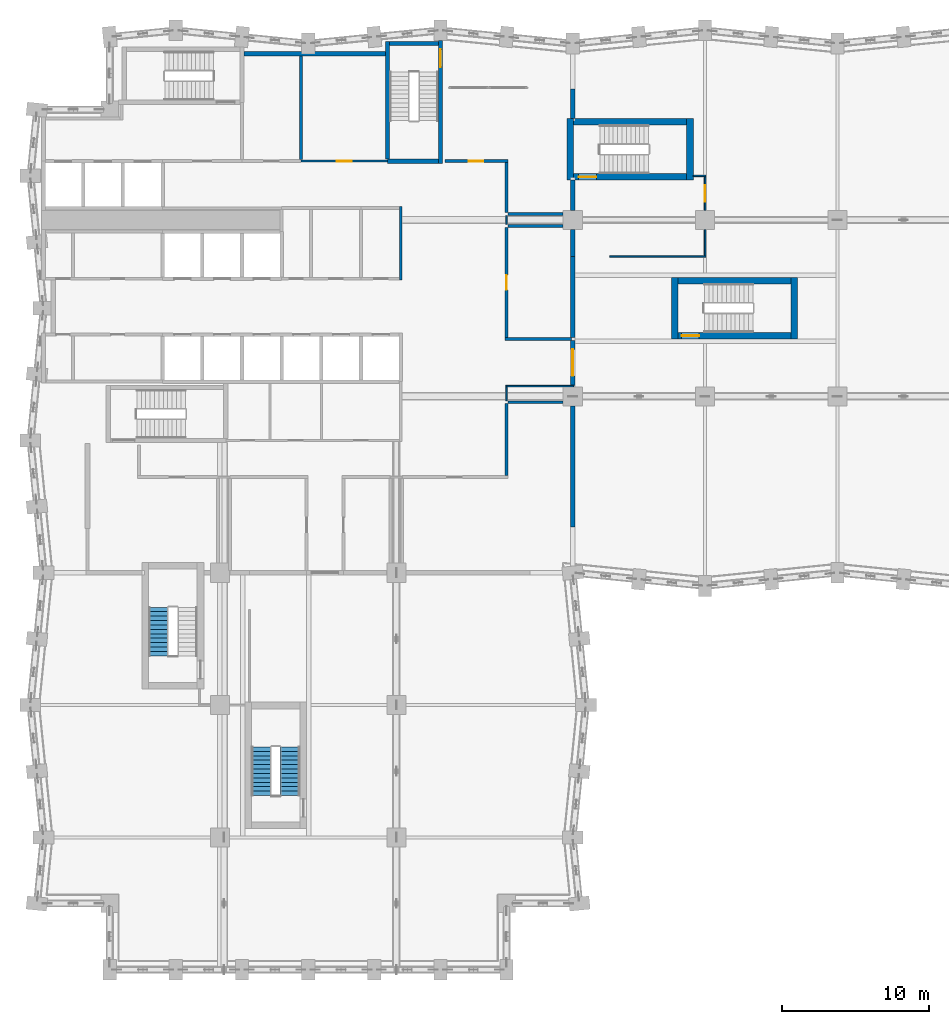
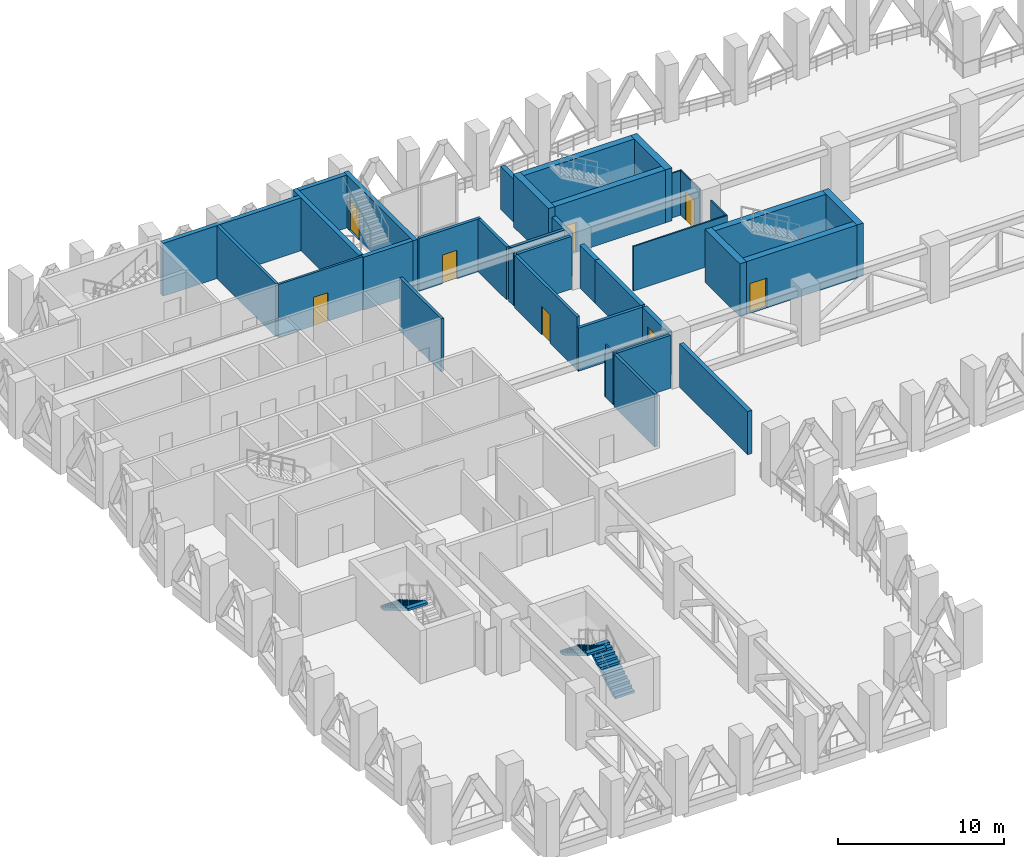
# One storey, part 16 of 25: 37 walls, 8 doors, 3 stair flights, 8 openings, 2 elements without a shape of their own.
"""IFC4 building model written with IfcOpenShell, lengths in metres."""

import ifcopenshell
import ifcopenshell.guid

model = None  # the IFC model being written
_history = None  # IfcOwnerHistory: only IFC2X3 demands one
_inside = {}  # id of a spatial element -> (the spatial element, [elements in it])
_under = {}  # id of a project, library or spatial element -> (it, [spatial elements below it])
_declared = {}  # id of a project -> (the project, [libraries it declares])
_typed = {}  # id of a type object -> (the type object, [elements of that type])
_made_of = {}  # id of a material, layer set ... -> (it, [elements and type objects made of it])


def new_model(schema):
    """Start an empty IFC model of exactly this schema.

    Asked for "IFC4X3", IfcOpenShell would pick the latest addendum, in which some entities
    have other attributes; the version numbers below select the first issue.
    IFC2X3 requires an IfcOwnerHistory on every rooted entity: one is made here for all.
    """
    global model, _history
    if schema == "IFC4X3":
        model = ifcopenshell.file(schema_version=(4, 3, 0, 0))
    else:
        model = ifcopenshell.file(schema=schema)
    _inside.clear()
    _under.clear()
    _declared.clear()
    _typed.clear()
    _made_of.clear()
    _history = None
    if model.schema == "IFC2X3":
        org = make("IfcOrganization", Name="unknown")
        user = make(
            "IfcPersonAndOrganization",
            ThePerson=make("IfcPerson", FamilyName="unknown"),
            TheOrganization=org,
        )
        app = make(
            "IfcApplication",
            ApplicationDeveloper=org,
            Version="unknown",
            ApplicationFullName="unknown",
            ApplicationIdentifier="unknown",
        )
        _history = make(
            "IfcOwnerHistory",
            OwningUser=user,
            OwningApplication=app,
            ChangeAction="ADDED",
            CreationDate=0,
        )
    return model


def make(cls, **values):
    """One entity of the class cls with the attributes given. An attribute that is None is left unset."""
    return model.create_entity(
        cls, **{name: value for name, value in values.items() if value is not None}
    )


def rooted(cls, **values):
    """An entity with a GlobalId (a new one), such as an element, a storey or a relation."""
    return make(cls, GlobalId=ifcopenshell.guid.new(), OwnerHistory=_history, **values)


def si_unit(unit_type, name, prefix=None):
    """IfcSIUnit, for example si_unit("LENGTHUNIT", "METRE", prefix="MILLI")."""
    return make("IfcSIUnit", UnitType=unit_type, Prefix=prefix, Name=name)


def assignment(units):
    """IfcUnitAssignment: the units of a project."""
    return None if units is None else make("IfcUnitAssignment", Units=units)


def point(xyz):
    """IfcCartesianPoint."""
    return None if xyz is None else make("IfcCartesianPoint", Coordinates=xyz)


def direction(xyz):
    """IfcDirection."""
    return None if xyz is None else make("IfcDirection", DirectionRatios=xyz)


def frame(location, z_axis=None, x_axis=None):
    """IfcAxis2Placement3D, a coordinate frame: its origin and axes. An axis left out is left unset."""
    return make(
        "IfcAxis2Placement3D",
        Location=point(location),
        Axis=direction(z_axis),
        RefDirection=direction(x_axis),
    )


def frame_2d(location, x_axis=None):
    """IfcAxis2Placement2D, a coordinate frame in the plane: its origin and x axis."""
    return make(
        "IfcAxis2Placement2D", Location=point(location), RefDirection=direction(x_axis)
    )


def origin():
    """The frame at (0, 0, 0) with its axes left unset."""
    return frame((0.0, 0.0, 0.0))


def place(relative_to, where):
    """IfcLocalPlacement: puts the frame where relative to a parent placement (None: the world)."""
    return make(
        "IfcLocalPlacement", PlacementRelTo=relative_to, RelativePlacement=where
    )


def context(
    kind, dimensions, precision=None, world=None, true_north=None, identifier=None
):
    """IfcGeometricRepresentationContext, for example the 3D "Model" context."""
    return make(
        "IfcGeometricRepresentationContext",
        ContextIdentifier=identifier,
        ContextType=kind,
        CoordinateSpaceDimension=dimensions,
        Precision=precision,
        WorldCoordinateSystem=world,
        TrueNorth=true_north,
    )


def subcontext(parent, identifier, kind, view, scale=None):
    """IfcGeometricRepresentationSubContext, for example "Body" below "Model"."""
    return make(
        "IfcGeometricRepresentationSubContext",
        ContextIdentifier=identifier,
        ContextType=kind,
        ParentContext=parent,
        TargetScale=scale,
        TargetView=view,
    )


def project(units=None, contexts=None):
    """IfcProject with its units and contexts."""
    return rooted(
        "IfcProject",
        Name="project",
        RepresentationContexts=contexts,
        UnitsInContext=assignment(units),
    )


def spatial(cls, under=None, at=None, **own):
    """A site, building, storey or space (cls), placed at a placement, below another one or the project."""
    s = rooted(cls, ObjectPlacement=at, **own)
    if under is not None:
        _under.setdefault(under.id(), (under, []))[1].append(s)
    return s


def polyline(points):
    """IfcPolyline through the points."""
    return make("IfcPolyline", Points=[point(p) for p in points])


def profile(cls, at=None, kind="AREA", **sizes):
    """A parametric profile (cls). Its sizes go by their IFC names, for example OverallWidth=200.0."""
    return make(cls, ProfileType=kind, Position=at, **sizes)


def rectangle(**sizes):
    """IfcRectangleProfileDef."""
    return profile("IfcRectangleProfileDef", **sizes)


def outline(outer, holes=None, kind="AREA"):
    """IfcArbitraryClosedProfileDef: a profile drawn as a closed curve; with holes, ...WithVoids."""
    if holes is None:
        return make("IfcArbitraryClosedProfileDef", ProfileType=kind, OuterCurve=outer)
    return make(
        "IfcArbitraryProfileDefWithVoids",
        ProfileType=kind,
        OuterCurve=outer,
        InnerCurves=holes,
    )


def extrude(swept, where, along, depth):
    """IfcExtrudedAreaSolid: the profile swept, set in the frame where, extruded along a direction by depth."""
    return make(
        "IfcExtrudedAreaSolid",
        SweptArea=swept,
        Position=where,
        ExtrudedDirection=direction(along),
        Depth=depth,
    )


def shape(context_of_items, identifier, shape_type, items):
    """IfcShapeRepresentation: the items that make up one representation, for example the "Body"."""
    return make(
        "IfcShapeRepresentation",
        ContextOfItems=context_of_items,
        RepresentationIdentifier=identifier,
        RepresentationType=shape_type,
        Items=items,
    )


def material(Name=None, Category=None):
    """IfcMaterial."""
    return make("IfcMaterial", Name=Name, Category=Category)


def layer(
    of_material, thickness, ventilated=None, Name=None, Category=None, Priority=None
):
    """IfcMaterialLayer: one layer of a wall or slab, of a material (None: an air gap)."""
    return make(
        "IfcMaterialLayer",
        Material=of_material,
        LayerThickness=thickness,
        IsVentilated=ventilated,
        Name=Name,
        Category=Category,
        Priority=Priority,
    )


def layer_set(layers, Name=None):
    """IfcMaterialLayerSet."""
    return make("IfcMaterialLayerSet", MaterialLayers=layers, LayerSetName=Name)


def made_of(thing, what):
    """Note that an element or type object is made of a material, layer set ...; save() writes the relation."""
    if what is not None:
        _made_of.setdefault(what.id(), (what, []))[1].append(thing)
    return thing


def type_object(cls, material=None, **own):
    """A type object (cls), such as IfcWallType, which elements share."""
    return made_of(rooted(cls, **own), material)


def element(
    cls,
    number,
    at=None,
    inside=None,
    cuts=None,
    type_object=None,
    material=None,
    context=None,
    identifier="Body",
    shape_type=None,
    held_by="IfcProductDefinitionShape",
    body=None,
    shapes=None,
    **own,
):
    """One element of the class cls, such as IfcWall. Its Tag is "e" and its number.

    at: its placement. inside: the storey or other place that contains it. cuts: it is an
    opening in that element (IfcRelVoidsElement). A single representation is given by context,
    identifier, shape_type and body (its items); several are given by shapes. held_by: the class
    of the entity that holds the representations. save() writes the other relations.
    """
    e = rooted(cls, Tag="e%d" % number, ObjectPlacement=at, **own)
    if body is not None:
        shapes = [shape(context, identifier, shape_type, body)]
    if shapes is not None:
        e.Representation = make(held_by, Representations=shapes)
    if inside is not None:
        _inside.setdefault(inside.id(), (inside, []))[1].append(e)
    if cuts is not None:
        rooted(
            "IfcRelVoidsElement", RelatingBuildingElement=cuts, RelatedOpeningElement=e
        )
    if type_object is not None:
        _typed.setdefault(type_object.id(), (type_object, []))[1].append(e)
    return made_of(e, material)


def fill(opening, filler):
    """IfcRelFillsElement: the door or window that sits in an opening."""
    return rooted(
        "IfcRelFillsElement",
        RelatingOpeningElement=opening,
        RelatedBuildingElement=filler,
    )


def aggregate(whole, parts):
    """IfcRelAggregates: a whole, such as a stair, and the parts it consists of."""
    return rooted("IfcRelAggregates", RelatingObject=whole, RelatedObjects=parts)


def save(model, path):
    """Write the relations noted so far, then the file.

    IfcRelAggregates (storeys below a building ...), IfcRelContainedInSpatialStructure (elements
    in a storey), IfcRelDefinesByType, IfcRelAssociatesMaterial and IfcRelDeclares: one each for
    every whole, place, type object, material and project.
    """
    for whole, parts in _under.values():
        aggregate(whole, parts)
    for where, things in _inside.values():
        rooted(
            "IfcRelContainedInSpatialStructure",
            RelatedElements=things,
            RelatingStructure=where,
        )
    for kind, things in _typed.values():
        rooted("IfcRelDefinesByType", RelatedObjects=things, RelatingType=kind)
    for what, things in _made_of.values():
        rooted("IfcRelAssociatesMaterial", RelatedObjects=things, RelatingMaterial=what)
    for by, libraries in _declared.values():
        rooted("IfcRelDeclares", RelatingContext=by, RelatedDefinitions=libraries)
    model.write(path)


model = new_model("IFC4")

# Units and contexts
model_context = context("Model", 3, precision=1e-05, world=origin(), true_north=direction((0.0, 1.0)))
body_context = subcontext(model_context, "Body", "Model", "MODEL_VIEW")
ifc_project = project(units=[si_unit("LENGTHUNIT", "METRE"), si_unit("AREAUNIT", "SQUARE_METRE"), si_unit("VOLUMEUNIT", "CUBIC_METRE"), si_unit("PLANEANGLEUNIT", "RADIAN"), si_unit("MASSUNIT", "GRAM", prefix="KILO")], contexts=[model_context])

# Site, building, storey
site_placement = place(None, origin())
site = spatial("IfcSite", under=ifc_project, at=site_placement, CompositionType="ELEMENT")
building_placement = place(site_placement, origin())
building = spatial("IfcBuilding", under=site, at=building_placement, Name="Brondeck Convention Tower", CompositionType="ELEMENT")
storey_placement = place(building_placement, frame((0.0, 0.0, 84.300048828125)))
storey = spatial("IfcBuildingStorey", under=building, at=storey_placement, Name="L19", CompositionType="ELEMENT", Elevation=84.300048828125)

# Wall
ifc_material_1 = material(Name="Concrete compartment wall C30/37", Category="concrete")
ifc_layer_1 = layer(ifc_material_1, 0.300048828125)
ifc_layer_set_1 = layer_set([ifc_layer_1], Name="Compartment wall 300")
wall_type_1 = type_object("IfcWallType", Name="Compartment wall 300", PredefinedType="PARTITIONING", material=ifc_layer_set_1)
wall_1_placement = place(storey_placement, frame((36.0, 38.344970703125, 0.0), z_axis=(0.0, 0.0, 1.0), x_axis=(0.0, -1.0, 0.0)))
element("IfcWall", 1, at=wall_1_placement, inside=storey, type_object=wall_type_1, Name="FLR-L19-W028", PredefinedType="PARTITIONING", context=body_context, shape_type="SweptSolid", body=[
    extrude(rectangle(XDim=8.244873046875, YDim=0.300048828125, at=frame_2d((4.12255859375, 0.0))), origin(), (0.0, 0.0, 1.0), 3.179931640625),
])

# Wall, opening, door
wall_2_placement = place(storey_placement, frame((36.0, 42.800048828125, 0.0), z_axis=(0.0, 0.0, 1.0), x_axis=(0.0, -1.0, 0.0)))
wall_2 = element("IfcWall", 2, at=wall_2_placement, inside=storey, type_object=wall_type_1, Name="FLR-L19-W033", PredefinedType="PARTITIONING", context=body_context, shape_type="SweptSolid", body=[
    extrude(rectangle(XDim=3.050048828125, YDim=0.300048828125, at=frame_2d((1.52490234375, 0.0))), origin(), (0.0, 0.0, 1.0), 3.179931640625),
])
opening_1_placement = place(wall_2_placement, frame((0.60009765625, 0.0, 0.0)))
opening_1 = element("IfcOpeningElement", 3, at=opening_1_placement, cuts=wall_2, Name="Opening BD-1-008", PredefinedType="OPENING", context=body_context, shape_type="SweptSolid", body=[
    extrude(rectangle(XDim=1.800048828125, YDim=2.10009765625, at=frame_2d((0.89990234375, 1.050048828125))), frame((0.0, 0.159912109375, 0.0), z_axis=(0.0, -1.0, 0.0), x_axis=(1.0, 0.0, 0.0)), (0.0, 0.0, 1.0), 0.320068359375),
])
ifc_material_2 = material(Name="Steel fire door pair", Category="steel")
door_type_1 = type_object("IfcDoorType", Name="Fire door pair 1800", OperationType="DOUBLE_DOOR_SINGLE_SWING", PredefinedType="DOOR", material=ifc_material_2)
door_1_placement = place(opening_1_placement, origin())
door_1 = element("IfcDoor", 4, at=door_1_placement, inside=storey, type_object=door_type_1, Name="Door BD-1-008", OperationType="DOUBLE_DOOR_SINGLE_SWING", OverallHeight=2.10009765625, OverallWidth=1.800048828125, PredefinedType="DOOR", context=body_context, shape_type="SweptSolid", body=[
    extrude(rectangle(XDim=1.800048828125, YDim=2.10009765625, at=frame_2d((0.89990234375, 1.050048828125))), frame((0.0, 0.02490234375, 0.0), z_axis=(0.0, -1.0, 0.0), x_axis=(1.0, 0.0, 0.0)), (0.0, 0.0, 1.0), 0.050048828125),
])
fill(opening_1, door_1)

# Walls
wall_3_placement = place(storey_placement, frame((36.0, 48.5, 0.0), z_axis=(0.0, 0.0, 1.0), x_axis=(0.0, -1.0, 0.0)))
element("IfcWall", 5, at=wall_3_placement, inside=storey, type_object=wall_type_1, Name="FLR-L19-W035", PredefinedType="PARTITIONING", context=body_context, shape_type="SweptSolid", body=[
    extrude(rectangle(XDim=5.5, YDim=0.300048828125, at=frame_2d((2.75, 0.0))), origin(), (0.0, 0.0, 1.0), 3.179931640625),
])
wall_4_placement = place(storey_placement, frame((36.0, 48.5, 0.0), z_axis=(0.0, 0.0, 1.0), x_axis=(0.0, 1.0, 0.0)))
element("IfcWall", 6, at=wall_4_placement, inside=storey, type_object=wall_type_1, Name="FLR-L19-W036", PredefinedType="PARTITIONING", context=body_context, shape_type="SweptSolid", body=[
    extrude(rectangle(XDim=1.844970703125, YDim=0.300048828125, at=frame_2d((0.92236328125, 0.0))), origin(), (0.0, 0.0, 1.0), 3.179931640625),
])
wall_5_placement = place(storey_placement, frame((36.0, 51.655029296875, 0.0), z_axis=(0.0, 0.0, 1.0), x_axis=(0.0, 1.0, 0.0)))
element("IfcWall", 7, at=wall_5_placement, inside=storey, type_object=wall_type_1, Name="FLR-L19-W043", PredefinedType="PARTITIONING", context=body_context, shape_type="SweptSolid", body=[
    extrude(rectangle(XDim=2.044921875, YDim=0.300048828125, at=frame_2d((1.0224609375, 0.0))), origin(), (0.0, 0.0, 1.0), 3.179931640625),
])
wall_6_placement = place(storey_placement, frame((36.0, 59.89990234375, 0.0), z_axis=(0.0, 0.0, 1.0), x_axis=(0.0, -1.0, 0.0)))
element("IfcWall", 8, at=wall_6_placement, inside=storey, type_object=wall_type_1, Name="FLR-L19-W048", PredefinedType="PARTITIONING", context=body_context, shape_type="SweptSolid", body=[
    extrude(rectangle(XDim=2.0, YDim=0.300048828125, at=frame_2d((1.0, 0.0))), origin(), (0.0, 0.0, 1.0), 3.179931640625),
])
ifc_material_3 = material(Name="Concrete C80/95", Category="concrete")
ifc_layer_2 = layer(ifc_material_3, 0.199951171875)
ifc_layer_set_2 = layer_set([ifc_layer_2], Name="Core beam-seat wall 200 Concrete C80/95")
wall_type_2 = type_object("IfcWallType", Name="Core beam-seat wall 200 Concrete C80/95", PredefinedType="SHEAR", material=ifc_layer_set_2)
wall_7_placement = place(storey_placement, frame((24.300048828125, 46.89990234375, 0.0), z_axis=(0.0, 0.0, 1.0), x_axis=(0.0, 1.0, 0.0)))
element("IfcWall", 9, at=wall_7_placement, inside=storey, type_object=wall_type_2, Name="L19 core wall", PredefinedType="SHEAR", context=body_context, shape_type="SweptSolid", body=[
    extrude(rectangle(XDim=5.0, YDim=0.199951171875, at=frame_2d((2.5, 0.0))), origin(), (0.0, 0.0, 1.0), 3.89990234375),
])
ifc_layer_3 = layer(ifc_material_3, 0.300048828125)
ifc_layer_set_3 = layer_set([ifc_layer_3], Name="Core outer wall 300 Concrete C80/95")
wall_type_3 = type_object("IfcWallType", Name="Core outer wall 300 Concrete C80/95", PredefinedType="SHEAR", material=ifc_layer_set_3)
wall_8_placement = place(storey_placement, frame((13.64990234375, 62.300048828125, 0.0), z_axis=(0.0, 0.0, 1.0), x_axis=(1.0, 0.0, 0.0)))
element("IfcWall", 10, at=wall_8_placement, inside=storey, type_object=wall_type_3, Name="L19 core wall", PredefinedType="SHEAR", context=body_context, shape_type="SweptSolid", body=[
    extrude(rectangle(XDim=9.60009765625, YDim=0.300048828125, at=frame_2d((4.800048828125, 0.0))), origin(), (0.0, 0.0, 1.0), 3.89990234375),
])

# Wall, opening, door
ifc_material_4 = material(Name="Fire-rated gypsum board partition")
ifc_layer_4 = layer(ifc_material_4, 0.14990234375)
ifc_layer_set_4 = layer_set([ifc_layer_4], Name="Core partition 150 EI 60")
wall_type_4 = type_object("IfcWallType", Name="Core partition 150 EI 60", PredefinedType="PARTITIONING", material=ifc_layer_set_4)
wall_9_placement = place(storey_placement, frame((17.5, 55.0, 0.0), z_axis=(0.0, 0.0, 1.0), x_axis=(1.0, 0.0, 0.0)))
wall_9 = element("IfcWall", 11, at=wall_9_placement, inside=storey, type_object=wall_type_4, Name="L19 core wall", PredefinedType="PARTITIONING", context=body_context, shape_type="SweptSolid", body=[
    extrude(rectangle(XDim=5.89990234375, YDim=0.14990234375, at=frame_2d((2.949951171875, 0.0))), origin(), (0.0, 0.0, 1.0), 3.89990234375),
])
opening_2_placement = place(wall_9_placement, frame((2.449951171875, 0.0, 0.0)))
opening_2 = element("IfcOpeningElement", 12, at=opening_2_placement, cuts=wall_9, Name="Opening C13-13", PredefinedType="OPENING", context=body_context, shape_type="SweptSolid", body=[
    extrude(rectangle(XDim=1.0, YDim=2.10009765625, at=frame_2d((0.5, 1.050048828125))), frame((0.0, 0.0849609375, 0.0), z_axis=(0.0, -1.0, 0.0), x_axis=(1.0, 0.0, 0.0)), (0.0, 0.0, 1.0), 0.169921875),
])
ifc_material_5 = material(Name="Steel fire door", Category="steel")
door_type_2 = type_object("IfcDoorType", Name="Room door 1000x2100 EI 60", OperationType="NOTDEFINED", PredefinedType="DOOR", material=ifc_material_5)
door_2_placement = place(opening_2_placement, origin())
door_2 = element("IfcDoor", 13, at=door_2_placement, inside=storey, type_object=door_type_2, Name="L19 Room door NE-2", OperationType="SINGLE_SWING_RIGHT", OverallHeight=2.10009765625, OverallWidth=1.0, PredefinedType="DOOR", context=body_context, shape_type="SweptSolid", body=[
    extrude(rectangle(XDim=1.0, YDim=2.10009765625, at=frame_2d((0.5, 1.050048828125))), frame((0.0, 0.02490234375, 0.0), z_axis=(0.0, -1.0, 0.0), x_axis=(1.0, 0.0, 0.0)), (0.0, 0.0, 1.0), 0.050048828125),
])
fill(opening_2, door_2)

# Walls
ifc_material_6 = material(Name="Concrete block wall C16/20", Category="concrete")
ifc_layer_5 = layer(ifc_material_6, 0.199951171875)
ifc_layer_set_5 = layer_set([ifc_layer_5], Name="Plant room wall 200")
wall_type_5 = type_object("IfcWallType", Name="Plant room wall 200", PredefinedType="PARTITIONING", material=ifc_layer_set_5)
wall_10_placement = place(storey_placement, frame((31.5, 38.5, 0.0), z_axis=(0.0, 0.0, 1.0), x_axis=(0.0, -1.0, 0.0)))
element("IfcWall", 14, at=wall_10_placement, inside=storey, type_object=wall_type_5, Name="FLR-L19-W029", PredefinedType="PARTITIONING", context=body_context, shape_type="SweptSolid", body=[
    extrude(rectangle(XDim=4.89990234375, YDim=0.199951171875, at=frame_2d((2.449951171875, 0.0))), origin(), (0.0, 0.0, 1.0), 3.8798828125),
])
wall_11_placement = place(storey_placement, frame((31.60009765625, 38.60009765625, 0.0), z_axis=(0.0, 0.0, 1.0), x_axis=(1.0, 0.0, 0.0)))
element("IfcWall", 15, at=wall_11_placement, inside=storey, type_object=wall_type_5, Name="FLR-L19-W030", PredefinedType="PARTITIONING", context=body_context, shape_type="SweptSolid", body=[
    extrude(rectangle(XDim=3.744873046875, YDim=0.199951171875, at=frame_2d((1.87255859375, 0.0))), origin(), (0.0, 0.0, 1.0), 3.8798828125),
])
wall_12_placement = place(storey_placement, frame((31.39990234375, 42.89990234375, 0.0), z_axis=(0.0, 0.0, 1.0), x_axis=(1.0, 0.0, 0.0)))
element("IfcWall", 16, at=wall_12_placement, inside=storey, type_object=wall_type_5, Name="FLR-L19-W034", PredefinedType="PARTITIONING", context=body_context, shape_type="SweptSolid", body=[
    extrude(rectangle(XDim=4.5, YDim=0.199951171875, at=frame_2d((2.25, 0.0))), origin(), (0.0, 0.0, 1.0), 3.179931640625),
])

# Wall, opening, door
wall_13_placement = place(storey_placement, frame((31.5, 50.5, 0.0), z_axis=(0.0, 0.0, 1.0), x_axis=(0.0, -1.0, 0.0)))
wall_13 = element("IfcWall", 17, at=wall_13_placement, inside=storey, type_object=wall_type_5, Name="FLR-L19-W039", PredefinedType="PARTITIONING", context=body_context, shape_type="SweptSolid", body=[
    extrude(rectangle(XDim=7.5, YDim=0.199951171875, at=frame_2d((3.75, 0.0))), origin(), (0.0, 0.0, 1.0), 3.8798828125),
])
opening_3_placement = place(wall_13_placement, frame((3.25, 0.0, 0.0)))
opening_3 = element("IfcOpeningElement", 18, at=opening_3_placement, cuts=wall_13, Name="Opening BD-1-007", PredefinedType="OPENING", context=body_context, shape_type="SweptSolid", body=[
    extrude(rectangle(XDim=1.0, YDim=2.10009765625, at=frame_2d((0.5, 1.050048828125))), frame((0.0, 0.10986328125, 0.0), z_axis=(0.0, -1.0, 0.0), x_axis=(1.0, 0.0, 0.0)), (0.0, 0.0, 1.0), 0.219970703125),
])
ifc_material_7 = material(Name="Steel fire door leaf", Category="steel")
door_type_3 = type_object("IfcDoorType", Name="Plant room door 1000", OperationType="NOTDEFINED", PredefinedType="DOOR", material=ifc_material_7)
door_3_placement = place(opening_3_placement, origin())
door_3 = element("IfcDoor", 19, at=door_3_placement, inside=storey, type_object=door_type_3, Name="Door BD-1-007", OperationType="SINGLE_SWING_LEFT", OverallHeight=2.10009765625, OverallWidth=1.0, PredefinedType="DOOR", context=body_context, shape_type="SweptSolid", body=[
    extrude(rectangle(XDim=1.0, YDim=2.10009765625, at=frame_2d((0.5, 1.050048828125))), frame((0.0, 0.02490234375, 0.0), z_axis=(0.0, -1.0, 0.0), x_axis=(1.0, 0.0, 0.0)), (0.0, 0.0, 1.0), 0.050048828125),
])
fill(opening_3, door_3)

# Walls
for number, where, z_axis, x_axis, name in (
    (20, (31.60009765625, 50.60009765625, 0.0), (0.0, 0.0, 1.0), (1.0, 0.0, 0.0), "FLR-L19-W040"),
    (21, (35.344970703125, 51.39990234375, 0.0), (0.0, 0.0, 1.0), (-1.0, 0.0, 0.0), "FLR-L19-W042"),
):
    element("IfcWall", number, at=place(storey_placement, frame(where, z_axis=z_axis, x_axis=x_axis)), inside=storey, type_object=wall_type_5, Name=name, PredefinedType="PARTITIONING", context=body_context, shape_type="SweptSolid", body=[
        extrude(rectangle(XDim=3.744873046875, YDim=0.199951171875, at=frame_2d((1.87255859375, 0.0))), origin(), (0.0, 0.0, 1.0), 3.8798828125),
    ])
wall_14_placement = place(storey_placement, frame((31.5, 54.89990234375, 0.0), z_axis=(0.0, 0.0, 1.0), x_axis=(0.0, -1.0, 0.0)))
element("IfcWall", 22, at=wall_14_placement, inside=storey, type_object=wall_type_5, Name="FLR-L19-W046", PredefinedType="PARTITIONING", context=body_context, shape_type="SweptSolid", body=[
    extrude(rectangle(XDim=3.39990234375, YDim=0.199951171875, at=frame_2d((1.699951171875, 0.0))), origin(), (0.0, 0.0, 1.0), 3.8798828125),
])

# Wall, opening, door
wall_15_placement = place(storey_placement, frame((27.300048828125, 55.0, 0.0), z_axis=(0.0, 0.0, 1.0), x_axis=(1.0, 0.0, 0.0)))
wall_15 = element("IfcWall", 23, at=wall_15_placement, inside=storey, type_object=wall_type_5, Name="FLR-L19-W047", PredefinedType="PARTITIONING", context=body_context, shape_type="SweptSolid", body=[
    extrude(rectangle(XDim=4.300048828125, YDim=0.199951171875, at=frame_2d((2.14990234375, 0.0))), origin(), (0.0, 0.0, 1.0), 3.8798828125),
])
opening_4_placement = place(wall_15_placement, frame((1.625, 0.0, 0.0)))
opening_4 = element("IfcOpeningElement", 24, at=opening_4_placement, cuts=wall_15, Name="Opening BD-1-006", PredefinedType="OPENING", context=body_context, shape_type="SweptSolid", body=[
    extrude(rectangle(XDim=1.0, YDim=2.10009765625, at=frame_2d((0.5, 1.050048828125))), frame((0.0, 0.10986328125, 0.0), z_axis=(0.0, -1.0, 0.0), x_axis=(1.0, 0.0, 0.0)), (0.0, 0.0, 1.0), 0.219970703125),
])
door_4_placement = place(opening_4_placement, origin())
door_4 = element("IfcDoor", 25, at=door_4_placement, inside=storey, type_object=door_type_3, Name="Door BD-1-006", OperationType="SINGLE_SWING_LEFT", OverallHeight=2.10009765625, OverallWidth=1.0, PredefinedType="DOOR", context=body_context, shape_type="SweptSolid", body=[
    extrude(rectangle(XDim=1.0, YDim=2.10009765625, at=frame_2d((0.5, 1.050048828125))), frame((0.0, 0.02490234375, 0.0), z_axis=(0.0, -1.0, 0.0), x_axis=(1.0, 0.0, 0.0)), (0.0, 0.0, 1.0), 0.050048828125),
])
fill(opening_4, door_4)

# Walls
ifc_layer_6 = layer(ifc_material_4, 0.199951171875)
ifc_layer_set_6 = layer_set([ifc_layer_6], Name="Riser wall 200 EI 120")
wall_type_6 = type_object("IfcWallType", Name="Riser wall 200 EI 120", PredefinedType="PARTITIONING", material=ifc_layer_set_6)
wall_16_placement = place(storey_placement, frame((17.5, 55.10009765625, 0.0), z_axis=(0.0, 0.0, 1.0), x_axis=(0.0, 1.0, 0.0)))
element("IfcWall", 26, at=wall_16_placement, inside=storey, type_object=wall_type_6, Name="L19 core wall", PredefinedType="PARTITIONING", context=body_context, shape_type="SweptSolid", body=[
    extrude(rectangle(XDim=7.0498046875, YDim=0.199951171875, at=frame_2d((3.52490234375, 0.0))), origin(), (0.0, 0.0, 1.0), 3.89990234375),
])
ifc_material_8 = material(Name="Gypsum board partition on steel studs", Category="steel")
ifc_layer_7 = layer(ifc_material_8, 0.10009765625)
ifc_layer_set_7 = layer_set([ifc_layer_7], Name="Room partition 100")
wall_type_7 = type_object("IfcWallType", Name="Room partition 100", PredefinedType="PARTITIONING", material=ifc_layer_set_7)
wall_17_placement = place(storey_placement, frame((31.5, 39.64990234375, 0.0), z_axis=(0.0, 0.0, 1.0), x_axis=(0.0, -1.0, 0.0)))
element("IfcWall", 27, at=wall_17_placement, inside=storey, type_object=wall_type_7, Name="FLR-L19-W031", PredefinedType="PARTITIONING", context=body_context, shape_type="SweptSolid", body=[
    extrude(rectangle(XDim=0.949951171875, YDim=0.10009765625, at=frame_2d((0.47509765625, 0.0))), origin(), (0.0, 0.0, 1.0), 3.8798828125),
])
wall_18_placement = place(storey_placement, frame((36.050048828125, 39.699951171875, 0.0), z_axis=(0.0, 0.0, 1.0), x_axis=(-1.0, 0.0, 0.0)))
element("IfcWall", 28, at=wall_18_placement, inside=storey, type_object=wall_type_7, Name="FLR-L19-W032", PredefinedType="PARTITIONING", context=body_context, shape_type="SweptSolid", body=[
    extrude(rectangle(XDim=4.60009765625, YDim=0.10009765625, at=frame_2d((2.300048828125, 0.0))), origin(), (0.0, 0.0, 1.0), 3.179931640625),
])
wall_19_placement = place(storey_placement, frame((45.050048828125, 48.5, 0.0), z_axis=(0.0, 0.0, 1.0), x_axis=(-1.0, 0.0, 0.0)))
element("IfcWall", 29, at=wall_19_placement, inside=storey, type_object=wall_type_7, Name="FLR-L19-W037", PredefinedType="PARTITIONING", context=body_context, shape_type="SweptSolid", body=[
    extrude(rectangle(XDim=6.550048828125, YDim=0.10009765625, at=frame_2d((3.27490234375, 0.0))), origin(), (0.0, 0.0, 1.0), 3.280029296875),
])
wall_20_placement = place(storey_placement, frame((45.0, 50.344970703125, 0.0), z_axis=(0.0, 0.0, 1.0), x_axis=(0.0, -1.0, 0.0)))
element("IfcWall", 30, at=wall_20_placement, inside=storey, type_object=wall_type_7, Name="FLR-L19-W038", PredefinedType="PARTITIONING", context=body_context, shape_type="SweptSolid", body=[
    extrude(rectangle(XDim=1.794921875, YDim=0.10009765625, at=frame_2d((0.8974609375, 0.0))), origin(), (0.0, 0.0, 1.0), 3.280029296875),
])
wall_21_placement = place(storey_placement, frame((31.5, 51.300048828125, 0.0), z_axis=(0.0, 0.0, 1.0), x_axis=(0.0, -1.0, 0.0)))
element("IfcWall", 31, at=wall_21_placement, inside=storey, type_object=wall_type_7, Name="FLR-L19-W041", PredefinedType="PARTITIONING", context=body_context, shape_type="SweptSolid", body=[
    extrude(rectangle(XDim=0.60009765625, YDim=0.10009765625, at=frame_2d((0.300048828125, 0.0))), origin(), (0.0, 0.0, 1.0), 3.8798828125),
])

# Wall, opening, door
wall_22_placement = place(storey_placement, frame((45.0, 53.949951171875, 0.0), z_axis=(0.0, 0.0, 1.0), x_axis=(0.0, -1.0, 0.0)))
wall_22 = element("IfcWall", 32, at=wall_22_placement, inside=storey, type_object=wall_type_7, Name="FLR-L19-W044", PredefinedType="PARTITIONING", context=body_context, shape_type="SweptSolid", body=[
    extrude(rectangle(XDim=2.294921875, YDim=0.10009765625, at=frame_2d((1.1474609375, 0.0))), origin(), (0.0, 0.0, 1.0), 3.280029296875),
])
opening_5_placement = place(wall_22_placement, frame((0.60009765625, 0.0, 0.0)))
opening_5 = element("IfcOpeningElement", 33, at=opening_5_placement, cuts=wall_22, Name="Opening BD-1-001", PredefinedType="OPENING", context=body_context, shape_type="SweptSolid", body=[
    extrude(rectangle(XDim=1.10009765625, YDim=2.10009765625, at=frame_2d((0.550048828125, 1.050048828125))), frame((0.0, 0.06005859375, 0.0), z_axis=(0.0, -1.0, 0.0), x_axis=(1.0, 0.0, 0.0)), (0.0, 0.0, 1.0), 0.1201171875),
])
door_type_4 = type_object("IfcDoorType", Name="Refuge door 1100", OperationType="NOTDEFINED", PredefinedType="DOOR", material=ifc_material_7)
door_5_placement = place(opening_5_placement, origin())
door_5 = element("IfcDoor", 34, at=door_5_placement, inside=storey, type_object=door_type_4, Name="Door BD-1-001", OperationType="SINGLE_SWING_LEFT", OverallHeight=2.10009765625, OverallWidth=1.10009765625, PredefinedType="DOOR", context=body_context, shape_type="SweptSolid", body=[
    extrude(rectangle(XDim=1.10009765625, YDim=2.10009765625, at=frame_2d((0.550048828125, 1.050048828125))), frame((0.0, 0.02490234375, 0.0), z_axis=(0.0, -1.0, 0.0), x_axis=(1.0, 0.0, 0.0)), (0.0, 0.0, 1.0), 0.050048828125),
])
fill(opening_5, door_5)

# Wall
wall_23_placement = place(storey_placement, frame((44.199951171875, 54.0, 0.0), z_axis=(0.0, 0.0, 1.0), x_axis=(1.0, 0.0, 0.0)))
element("IfcWall", 35, at=wall_23_placement, inside=storey, type_object=wall_type_7, Name="FLR-L19-W045", PredefinedType="PARTITIONING", context=body_context, shape_type="SweptSolid", body=[
    extrude(rectangle(XDim=0.85009765625, YDim=0.10009765625, at=frame_2d((0.425048828125, 0.0))), origin(), (0.0, 0.0, 1.0), 3.280029296875),
])

# Wall, opening, door
ifc_material_9 = material(Name="Concrete C50/60", Category="concrete")
ifc_layer_8 = layer(ifc_material_9, 0.449951171875)
ifc_layer_set_8 = layer_set([ifc_layer_8], Name="Stair enclosure bearing wall 450 Concrete C50/60")
wall_type_8 = type_object("IfcWallType", Name="Stair enclosure bearing wall 450 Concrete C50/60", PredefinedType="SHEAR", material=ifc_layer_set_8)
wall_24_placement = place(storey_placement, frame((43.14990234375, 43.125, 0.0), z_axis=(0.0, 0.0, 1.0), x_axis=(1.0, 0.0, 0.0)))
wall_24 = element("IfcWall", 36, at=wall_24_placement, inside=storey, type_object=wall_type_8, Name="L19 core wall", PredefinedType="SHEAR", context=body_context, shape_type="SweptSolid", body=[
    extrude(rectangle(XDim=7.7001953125, YDim=0.449951171875, at=frame_2d((3.85009765625, 0.0))), origin(), (0.0, 0.0, 1.0), 3.89990234375),
])
opening_6_placement = place(wall_24_placement, frame((0.25, 0.0, 0.0)))
opening_6 = element("IfcOpeningElement", 37, at=opening_6_placement, cuts=wall_24, Name="Opening C13-18", PredefinedType="OPENING", context=body_context, shape_type="SweptSolid", body=[
    extrude(rectangle(XDim=1.199951171875, YDim=2.199951171875, at=frame_2d((0.60009765625, 1.10009765625))), frame((0.0, 0.23486328125, 0.0), z_axis=(0.0, -1.0, 0.0), x_axis=(1.0, 0.0, 0.0)), (0.0, 0.0, 1.0), 0.469970703125),
])
door_type_5 = type_object("IfcDoorType", Name="Stair door 1200x2200 EI 90", OperationType="NOTDEFINED", PredefinedType="DOOR", material=ifc_material_5)
door_6_placement = place(opening_6_placement, origin())
door_6 = element("IfcDoor", 38, at=door_6_placement, inside=storey, type_object=door_type_5, Name="L19 Stair door ST-AF", OperationType="SINGLE_SWING_RIGHT", OverallHeight=2.199951171875, OverallWidth=1.199951171875, PredefinedType="DOOR", context=body_context, shape_type="SweptSolid", body=[
    extrude(rectangle(XDim=1.199951171875, YDim=2.199951171875, at=frame_2d((0.60009765625, 1.10009765625))), frame((0.0, 0.02490234375, 0.0), z_axis=(0.0, -1.0, 0.0), x_axis=(1.0, 0.0, 0.0)), (0.0, 0.0, 1.0), 0.050048828125),
])
fill(opening_6, door_6)

# Wall
wall_25_placement = place(storey_placement, frame((43.14990234375, 46.875, 0.0), z_axis=(0.0, 0.0, 1.0), x_axis=(1.0, 0.0, 0.0)))
element("IfcWall", 39, at=wall_25_placement, inside=storey, type_object=wall_type_8, Name="L19 core wall", PredefinedType="SHEAR", context=body_context, shape_type="SweptSolid", body=[
    extrude(rectangle(XDim=7.7001953125, YDim=0.449951171875, at=frame_2d((3.85009765625, 0.0))), origin(), (0.0, 0.0, 1.0), 3.89990234375),
])

# Wall, opening, door
wall_26_placement = place(storey_placement, frame((36.050048828125, 53.925048828125, 0.0), z_axis=(0.0, 0.0, 1.0), x_axis=(1.0, 0.0, 0.0)))
wall_26 = element("IfcWall", 40, at=wall_26_placement, inside=storey, type_object=wall_type_8, Name="L19 core wall", PredefinedType="SHEAR", context=body_context, shape_type="SweptSolid", body=[
    extrude(rectangle(XDim=7.699951171875, YDim=0.449951171875, at=frame_2d((3.85009765625, 0.0))), origin(), (0.0, 0.0, 1.0), 3.89990234375),
])
opening_7_placement = place(wall_26_placement, frame((0.35009765625, 0.0, 0.0)))
opening_7 = element("IfcOpeningElement", 41, at=opening_7_placement, cuts=wall_26, Name="Opening C13-17", PredefinedType="OPENING", context=body_context, shape_type="SweptSolid", body=[
    extrude(rectangle(XDim=1.199951171875, YDim=2.199951171875, at=frame_2d((0.60009765625, 1.10009765625))), frame((0.0, 0.23486328125, 0.0), z_axis=(0.0, -1.0, 0.0), x_axis=(1.0, 0.0, 0.0)), (0.0, 0.0, 1.0), 0.469970703125),
])
door_7_placement = place(opening_7_placement, origin())
door_7 = element("IfcDoor", 42, at=door_7_placement, inside=storey, type_object=door_type_5, Name="L19 Stair door ST-AE", OperationType="SINGLE_SWING_LEFT", OverallHeight=2.199951171875, OverallWidth=1.199951171875, PredefinedType="DOOR", context=body_context, shape_type="SweptSolid", body=[
    extrude(rectangle(XDim=1.199951171875, YDim=2.199951171875, at=frame_2d((0.60009765625, 1.10009765625))), frame((0.0, 0.02490234375, 0.0), z_axis=(0.0, -1.0, 0.0), x_axis=(1.0, 0.0, 0.0)), (0.0, 0.0, 1.0), 0.050048828125),
])
fill(opening_7, door_7)

# Walls
wall_27_placement = place(storey_placement, frame((36.050048828125, 57.675048828125, 0.0), z_axis=(0.0, 0.0, 1.0), x_axis=(1.0, 0.0, 0.0)))
element("IfcWall", 43, at=wall_27_placement, inside=storey, type_object=wall_type_8, Name="L19 core wall", PredefinedType="SHEAR", context=body_context, shape_type="SweptSolid", body=[
    extrude(rectangle(XDim=7.699951171875, YDim=0.449951171875, at=frame_2d((3.85009765625, 0.0))), origin(), (0.0, 0.0, 1.0), 3.89990234375),
])
wall_28_placement = place(storey_placement, frame((35.824951171875, 53.699951171875, 0.0), z_axis=(0.0, 0.0, 1.0), x_axis=(0.0, 1.0, 0.0)))
element("IfcWall", 44, at=wall_28_placement, inside=storey, type_object=wall_type_8, Name="L19 core wall", PredefinedType="SHEAR", context=body_context, shape_type="SweptSolid", body=[
    extrude(rectangle(XDim=4.199951171875, YDim=0.449951171875, at=frame_2d((2.10009765625, 0.0))), origin(), (0.0, 0.0, 1.0), 3.89990234375),
])
wall_29_placement = place(storey_placement, frame((42.925048828125, 42.89990234375, 0.0), z_axis=(0.0, 0.0, 1.0), x_axis=(0.0, 1.0, 0.0)))
element("IfcWall", 45, at=wall_29_placement, inside=storey, type_object=wall_type_8, Name="L19 core wall", PredefinedType="SHEAR", context=body_context, shape_type="SweptSolid", body=[
    extrude(rectangle(XDim=4.2001953125, YDim=0.449951171875, at=frame_2d((2.10009765625, 0.0))), origin(), (0.0, 0.0, 1.0), 3.89990234375),
])
wall_30_placement = place(storey_placement, frame((43.97509765625, 53.699951171875, 0.0), z_axis=(0.0, 0.0, 1.0), x_axis=(0.0, 1.0, 0.0)))
element("IfcWall", 46, at=wall_30_placement, inside=storey, type_object=wall_type_8, Name="L19 core wall", PredefinedType="SHEAR", context=body_context, shape_type="SweptSolid", body=[
    extrude(rectangle(XDim=4.199951171875, YDim=0.449951171875, at=frame_2d((2.10009765625, 0.0))), origin(), (0.0, 0.0, 1.0), 3.89990234375),
])
wall_31_placement = place(storey_placement, frame((51.074951171875, 42.89990234375, 0.0), z_axis=(0.0, 0.0, 1.0), x_axis=(0.0, 1.0, 0.0)))
element("IfcWall", 47, at=wall_31_placement, inside=storey, type_object=wall_type_8, Name="L19 core wall", PredefinedType="SHEAR", context=body_context, shape_type="SweptSolid", body=[
    extrude(rectangle(XDim=4.2001953125, YDim=0.449951171875, at=frame_2d((2.10009765625, 0.0))), origin(), (0.0, 0.0, 1.0), 3.89990234375),
])
ifc_layer_9 = layer(ifc_material_3, 0.300048828125)
ifc_layer_set_9 = layer_set([ifc_layer_9], Name="Stair enclosure wall 300 Concrete C80/95")
wall_type_9 = type_object("IfcWallType", Name="Stair enclosure wall 300 Concrete C80/95", PredefinedType="SHEAR", material=ifc_layer_set_9)
wall_32_placement = place(storey_placement, frame((23.39990234375, 55.0, 0.0), z_axis=(0.0, 0.0, 1.0), x_axis=(1.0, 0.0, 0.0)))
element("IfcWall", 48, at=wall_32_placement, inside=storey, type_object=wall_type_9, Name="L19 core wall", PredefinedType="SHEAR", context=body_context, shape_type="SweptSolid", body=[
    extrude(rectangle(XDim=3.4501953125, YDim=0.300048828125, at=frame_2d((1.72509765625, 0.0))), origin(), (0.0, 0.0, 1.0), 3.89990234375),
])
wall_33_placement = place(storey_placement, frame((23.550048828125, 63.0, 0.0), z_axis=(0.0, 0.0, 1.0), x_axis=(1.0, 0.0, 0.0)))
element("IfcWall", 49, at=wall_33_placement, inside=storey, type_object=wall_type_9, Name="L19 core wall", PredefinedType="SHEAR", context=body_context, shape_type="SweptSolid", body=[
    extrude(rectangle(XDim=3.300048828125, YDim=0.300048828125, at=frame_2d((1.64990234375, 0.0))), origin(), (0.0, 0.0, 1.0), 3.89990234375),
])
wall_34_placement = place(storey_placement, frame((23.39990234375, 55.14990234375, 0.0), z_axis=(0.0, 0.0, 1.0), x_axis=(0.0, 1.0, 0.0)))
element("IfcWall", 50, at=wall_34_placement, inside=storey, type_object=wall_type_9, Name="L19 core wall", PredefinedType="SHEAR", context=body_context, shape_type="SweptSolid", body=[
    extrude(rectangle(XDim=8.0, YDim=0.300048828125, at=frame_2d((4.0, 0.0))), origin(), (0.0, 0.0, 1.0), 3.89990234375),
])

# Wall, opening, door
wall_35_placement = place(storey_placement, frame((27.0, 54.85009765625, 0.0), z_axis=(0.0, 0.0, 1.0), x_axis=(0.0, 1.0, 0.0)))
wall_35 = element("IfcWall", 51, at=wall_35_placement, inside=storey, type_object=wall_type_9, Name="L19 core wall", PredefinedType="SHEAR", context=body_context, shape_type="SweptSolid", body=[
    extrude(rectangle(XDim=8.349853515625, YDim=0.300048828125, at=frame_2d((4.1748046875, 0.0))), origin(), (0.0, 0.0, 1.0), 3.89990234375),
])
opening_8_placement = place(wall_35_placement, frame((6.550048828125, 0.0, 0.0)))
opening_8 = element("IfcOpeningElement", 52, at=opening_8_placement, cuts=wall_35, Name="Opening C13-15", PredefinedType="OPENING", context=body_context, shape_type="SweptSolid", body=[
    extrude(rectangle(XDim=1.199951171875, YDim=2.199951171875, at=frame_2d((0.60009765625, 1.10009765625))), frame((0.0, 0.159912109375, 0.0), z_axis=(0.0, -1.0, 0.0), x_axis=(1.0, 0.0, 0.0)), (0.0, 0.0, 1.0), 0.320068359375),
])
door_8_placement = place(opening_8_placement, origin())
door_8 = element("IfcDoor", 53, at=door_8_placement, inside=storey, type_object=door_type_5, Name="L19 Stair door ST-2", OperationType="SINGLE_SWING_LEFT", OverallHeight=2.199951171875, OverallWidth=1.199951171875, PredefinedType="DOOR", context=body_context, shape_type="SweptSolid", body=[
    extrude(rectangle(XDim=1.199951171875, YDim=2.199951171875, at=frame_2d((0.60009765625, 1.10009765625))), frame((0.0, 0.02490234375, 0.0), z_axis=(0.0, -1.0, 0.0), x_axis=(1.0, 0.0, 0.0)), (0.0, 0.0, 1.0), 0.050048828125),
])
fill(opening_8, door_8)

# Stair, stair flight
ifc_material_10 = material(Name="Precast concrete C50/60", Category="concrete")
stair_type = type_object("IfcStairType", Name="Core stair 24 risers 175.00 mm riser 300 mm going 1350 wide", PredefinedType="HALF_TURN_STAIR", material=ifc_material_10)
stair_1_placement = place(storey_placement, origin())
stair_1 = element("IfcStair", 54, at=stair_1_placement, inside=storey, type_object=stair_type, Name="ST-BE L19 stair", PredefinedType="HALF_TURN_STAIR")
stair_flight_type = type_object("IfcStairFlightType", Name="Core stair flight 24 risers 175.00 mm riser 300 mm going 1350 wide", PredefinedType="STRAIGHT", material=ifc_material_10)
stair_flight_1_placement = place(storey_placement, frame((7.824951171875, 24.64990234375, 2.099853515625), z_axis=(0.0, 0.0, 1.0), x_axis=(0.0, -1.0, 0.0)))
stair_flight_1 = element("IfcStairFlight", 55, at=stair_flight_1_placement, type_object=stair_flight_type, Name="ST-BE flight 2", NumberOfRisers=12, NumberOfTreads=11, PredefinedType="STRAIGHT", RiserHeight=0.175, TreadLength=0.3, context=body_context, shape_type="SweptSolid", body=[
    extrude(outline(polyline([(0.0, 0.0), (0.0, 0.175048828125), (0.300048828125, 0.175048828125), (0.300048828125, 0.35009765625), (0.60009765625, 0.35009765625), (0.60009765625, 0.52490234375), (0.89990234375, 0.52490234375), (0.89990234375, 0.699951171875), (1.199951171875, 0.699951171875), (1.199951171875, 0.875), (1.5, 0.875), (1.5, 1.050048828125), (1.800048828125, 1.050048828125), (1.800048828125, 1.22509765625), (2.10009765625, 1.22509765625), (2.10009765625, 1.39990234375), (2.39990234375, 1.39990234375), (2.39990234375, 1.574951171875), (2.699951171875, 1.574951171875), (2.699951171875, 1.75), (3.0, 1.75), (3.0, 1.925048828125), (3.300048828125, 1.925048828125), (3.300048828125, 2.10009765625), (3.300048828125, 1.75146484375), (0.297607421875, 0.0), (0.0, 0.0)])), frame((0.0, 0.675048828125, 0.0), z_axis=(0.0, -1.0, 0.0), x_axis=(1.0, 0.0, 0.0)), (0.0, 0.0, 1.0), 1.35009765625),
])
aggregate(stair_1, [stair_flight_1])

# Stair, stair flights
stair_2_placement = place(storey_placement, origin())
stair_2 = element("IfcStair", 56, at=stair_2_placement, inside=storey, type_object=stair_type, Name="ST-BF L19 stair", PredefinedType="HALF_TURN_STAIR")
stair_flight_2_placement = place(storey_placement, frame((16.77490234375, 11.85009765625, 0.0), z_axis=(0.0, 0.0, 1.0), x_axis=(0.0, 1.0, 0.0)))
stair_flight_2 = element("IfcStairFlight", 57, at=stair_flight_2_placement, type_object=stair_flight_type, Name="ST-BF flight 1", NumberOfRisers=12, NumberOfTreads=11, PredefinedType="STRAIGHT", RiserHeight=0.175, TreadLength=0.3, context=body_context, shape_type="SweptSolid", body=[
    extrude(outline(polyline([(0.0, 0.0), (0.0, 0.175048828125), (0.300048828125, 0.175048828125), (0.300048828125, 0.35009765625), (0.60009765625, 0.35009765625), (0.60009765625, 0.52490234375), (0.89990234375, 0.52490234375), (0.89990234375, 0.699951171875), (1.199951171875, 0.699951171875), (1.199951171875, 0.875), (1.5, 0.875), (1.5, 1.050048828125), (1.800048828125, 1.050048828125), (1.800048828125, 1.22509765625), (2.10009765625, 1.22509765625), (2.10009765625, 1.39990234375), (2.39990234375, 1.39990234375), (2.39990234375, 1.574951171875), (2.699951171875, 1.574951171875), (2.699951171875, 1.75), (3.0, 1.75), (3.0, 1.925048828125), (3.300048828125, 1.925048828125), (3.300048828125, 2.10009765625), (3.300048828125, 1.75146484375), (0.297607421875, 0.0), (0.0, 0.0)])), frame((0.0, 0.675048828125, 0.0), z_axis=(0.0, -1.0, 0.0), x_axis=(1.0, 0.0, 0.0)), (0.0, 0.0, 1.0), 1.35009765625),
])
stair_flight_3_placement = place(storey_placement, frame((14.824951171875, 15.14990234375, 2.099853515625), z_axis=(0.0, 0.0, 1.0), x_axis=(0.0, -1.0, 0.0)))
stair_flight_3 = element("IfcStairFlight", 58, at=stair_flight_3_placement, type_object=stair_flight_type, Name="ST-BF flight 2", NumberOfRisers=12, NumberOfTreads=11, PredefinedType="STRAIGHT", RiserHeight=0.175, TreadLength=0.3, context=body_context, shape_type="SweptSolid", body=[
    extrude(outline(polyline([(0.0, 0.0), (0.0, 0.175048828125), (0.300048828125, 0.175048828125), (0.300048828125, 0.35009765625), (0.60009765625, 0.35009765625), (0.60009765625, 0.52490234375), (0.89990234375, 0.52490234375), (0.89990234375, 0.699951171875), (1.199951171875, 0.699951171875), (1.199951171875, 0.875), (1.5, 0.875), (1.5, 1.050048828125), (1.800048828125, 1.050048828125), (1.800048828125, 1.22509765625), (2.10009765625, 1.22509765625), (2.10009765625, 1.39990234375), (2.39990234375, 1.39990234375), (2.39990234375, 1.574951171875), (2.699951171875, 1.574951171875), (2.699951171875, 1.75), (3.0, 1.75), (3.0, 1.925048828125), (3.300048828125, 1.925048828125), (3.300048828125, 2.10009765625), (3.300048828125, 1.75146484375), (0.297607421875, 0.0), (0.0, 0.0)])), frame((0.0, 0.675048828125, 0.0), z_axis=(0.0, -1.0, 0.0), x_axis=(1.0, 0.0, 0.0)), (0.0, 0.0, 1.0), 1.35009765625),
])
aggregate(stair_2, [stair_flight_2, stair_flight_3])

save(model, "model.ifc")
